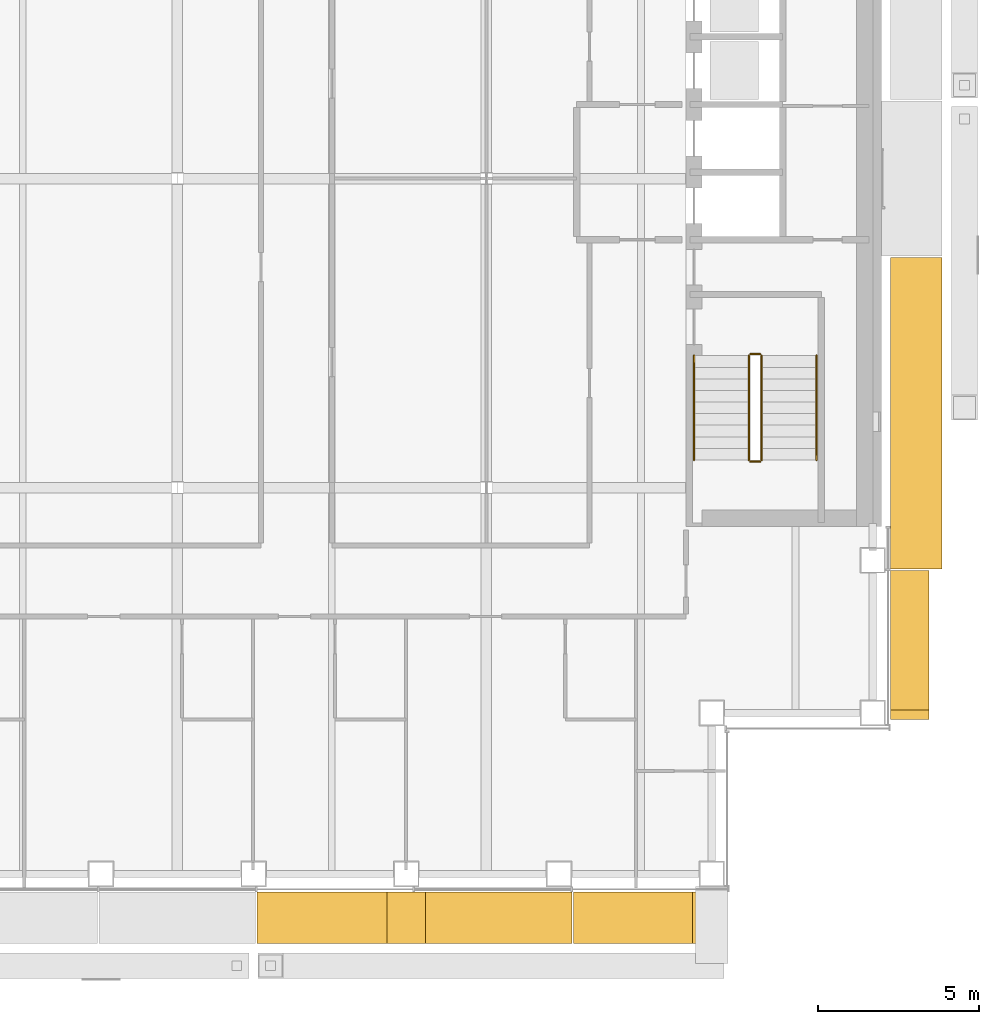
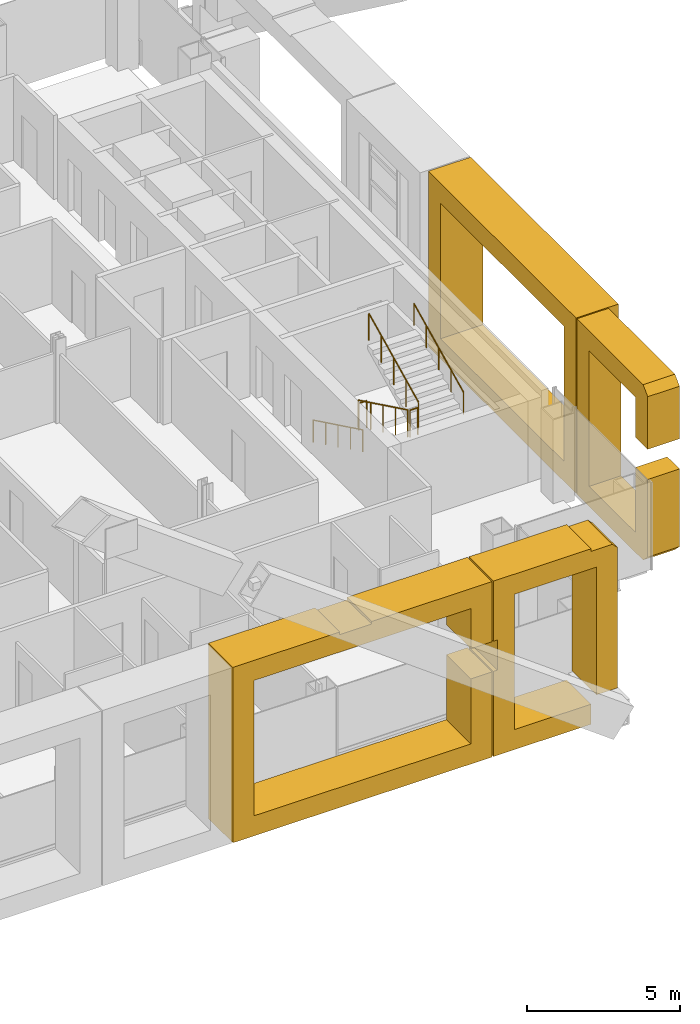
# One storey, part 19 of 22: 6 railings, 4 coverings.
"""IFC4 building model written with IfcOpenShell, lengths in metres."""

from ifc_helpers import new_model, si_unit, direction, frame, origin, origin_2d, place, context, subcontext, project, spatial, polyline, circle, outline, extrude, material, type_object, element, save


model = new_model("IFC4")

# Units and contexts
model_context = context("Model", 3, precision=1e-05, world=origin(), true_north=direction((0.0, 1.0)))
body_context = subcontext(model_context, "Body", "Model", "MODEL_VIEW")
ifc_project = project(units=[si_unit("LENGTHUNIT", "METRE"), si_unit("AREAUNIT", "SQUARE_METRE"), si_unit("VOLUMEUNIT", "CUBIC_METRE"), si_unit("PLANEANGLEUNIT", "RADIAN"), si_unit("MASSUNIT", "GRAM", prefix="KILO")], contexts=[model_context])

# Site, building, storey
site_placement = place(None, origin())
site = spatial("IfcSite", under=ifc_project, at=site_placement, CompositionType="ELEMENT")
building_placement = place(site_placement, origin())
building = spatial("IfcBuilding", under=site, at=building_placement, Name="Cobrizo Arcos Hotel Tower", CompositionType="ELEMENT")
storey_placement = place(building_placement, frame((0.0, 0.0, 162.0)))
storey = spatial("IfcBuildingStorey", under=building, at=storey_placement, Name="L41", CompositionType="ELEMENT", Elevation=162.0)

# Coverings
ifc_material_1 = material(Name="Aluminium 6063-T6 anodised bronze", Category="aluminium")
covering_type_1 = type_object("IfcCoveringType", Name="FIN-F 1200", PredefinedType="CLADDING", material=ifc_material_1)
covering_1_placement = place(storey_placement, frame((22.14990234375, -16.800048828125, 0.0), z_axis=(1.0, 0.0, 0.0), x_axis=(0.0, 1.0, 0.0)))
element("IfcCovering", 1, at=covering_1_placement, inside=storey, type_object=covering_type_1, Name="Fin frame 211", PredefinedType="CLADDING", context=body_context, shape_type="SweptSolid", body=[
    extrude(outline(polyline([(0.0, 6.699951171875), (0.0, 4.60205078125), (0.800048828125, 4.60205078125), (0.800048828125, 6.199951171875), (3.83203125, 6.199951171875), (3.83203125, 0.800048828125), (0.800048828125, 0.800048828125), (0.800048828125, 3.39794921875), (0.0, 3.39794921875), (0.0, 0.300048828125), (0.300048828125, 0.0), (4.632080078125, 0.0), (4.632080078125, 7.0), (0.300048828125, 7.0), (0.0, 6.699951171875)])), origin(), (0.0, 0.0, 1.0), 1.2001953125),
])
covering_type_2 = type_object("IfcCoveringType", Name="FIN-F 1600", PredefinedType="CLADDING", material=ifc_material_1)
covering_2_placement = place(storey_placement, frame((22.14990234375, -12.117919921875, 0.0), z_axis=(1.0, 0.0, 0.0), x_axis=(0.0, 1.0, 0.0)))
element("IfcCovering", 2, at=covering_2_placement, inside=storey, type_object=covering_type_2, Name="Fin frame 212", PredefinedType="CLADDING", context=body_context, shape_type="SweptSolid", body=[
    extrude(outline(polyline([(0.0, 7.0), (0.0, 0.0), (9.664306640625, 0.0), (9.664306640625, 7.0), (0.0, 7.0)]), holes=[polyline([(8.8642578125, 0.800048828125), (0.800048828125, 0.800048828125), (0.800048828125, 6.199951171875), (8.8642578125, 6.199951171875), (8.8642578125, 0.800048828125)])]), origin(), (0.0, 0.0, 1.0), 1.60009765625),
])
covering_3_placement = place(storey_placement, frame((2.482177734375, -22.14990234375, 0.0), z_axis=(0.0, -1.0, 0.0), x_axis=(1.0, 0.0, 0.0)))
element("IfcCovering", 3, at=covering_3_placement, inside=storey, type_object=covering_type_2, Name="Fin frame 244", PredefinedType="CLADDING", context=body_context, shape_type="SweptSolid", body=[
    extrude(outline(polyline([(9.778564453125, 0.0), (9.778564453125, 3.39794921875), (8.978515625, 3.39794921875), (8.978515625, 0.800048828125), (0.800048828125, 0.800048828125), (0.800048828125, 6.199951171875), (8.978515625, 6.199951171875), (8.978515625, 4.60205078125), (9.778564453125, 4.60205078125), (9.778564453125, 7.0), (5.234130859375, 7.0), (5.234130859375, 6.89794921875), (4.0302734375, 6.89794921875), (4.0302734375, 7.0), (0.0, 7.0), (0.0, 0.0), (9.778564453125, 0.0)])), origin(), (0.0, 0.0, 1.0), 1.60009765625),
])
covering_4_placement = place(storey_placement, frame((12.310791015625, -22.14990234375, 0.0), z_axis=(0.0, -1.0, 0.0), x_axis=(1.0, 0.0, 0.0)))
element("IfcCovering", 4, at=covering_4_placement, inside=storey, type_object=covering_type_2, Name="Fin frame 245", PredefinedType="CLADDING", context=body_context, shape_type="SweptSolid", body=[
    extrude(outline(polyline([(0.0, 0.0), (3.687255859375, 0.0), (3.687255859375, 0.800048828125), (0.800048828125, 0.800048828125), (0.800048828125, 6.199951171875), (3.889404296875, 6.199951171875), (3.889404296875, 1.10205078125), (4.689208984375, 1.10205078125), (4.689208984375, 6.699951171875), (4.4912109375, 6.89794921875), (3.687255859375, 6.89794921875), (3.687255859375, 7.0), (0.0, 7.0), (0.0, 4.60205078125), (0.1484375, 4.60205078125), (0.1484375, 3.39794921875), (0.0, 3.39794921875), (0.0, 0.0)])), origin(), (0.0, 0.0, 1.0), 1.60009765625),
])

# Railings
ifc_material_2 = material(Name="Stainless steel railing", Category="steel")
railing_type_1 = type_object("IfcRailingType", Name="Stair guard 1100", PredefinedType="GUARDRAIL", material=ifc_material_2)
railing_1_placement = place(storey_placement, frame((17.75, -5.5, 0.175048828125)))
element("IfcRailing", 5, at=railing_1_placement, inside=storey, type_object=railing_type_1, Name="L41 ST-E stair guard 1", PredefinedType="GUARDRAIL", context=body_context, shape_type="SweptSolid", body=[
    extrude(circle(Radius=0.02392578125, at=origin_2d()), frame((0.0, 0.0, 1.076171875), z_axis=(0.0, -0.899372665325, 0.437182809435), x_axis=(1.0, 0.0, 0.0)), (0.0, 0.0, 1.0), 3.6025390625),
    extrude(circle(Radius=0.02099609375, at=origin_2d()), origin(), (0.0, 0.0, 1.0), 1.052001953125),
    extrude(circle(Radius=0.02099609375, at=origin_2d()), frame((0.0, -0.81005859375, 0.393798828125)), (0.0, 0.0, 1.0), 1.052001953125),
    extrude(circle(Radius=0.02099609375, at=origin_2d()), frame((0.0, -1.6201171875, 0.78759765625)), (0.0, 0.0, 1.0), 1.052001953125),
    extrude(circle(Radius=0.02099609375, at=origin_2d()), frame((0.0, -2.429931640625, 1.18115234375)), (0.0, 0.0, 1.0), 1.052001953125),
    extrude(circle(Radius=0.02099609375, at=origin_2d()), frame((0.0, -3.239990234375, 1.574951171875)), (0.0, 0.0, 1.0), 1.052001953125),
])
railing_2_placement = place(storey_placement, frame((17.800048828125, -8.7900390625, 1.75)))
element("IfcRailing", 6, at=railing_2_placement, inside=storey, type_object=railing_type_1, Name="L41 ST-E stair guard 2", PredefinedType="GUARDRAIL", context=body_context, shape_type="SweptSolid", body=[
    extrude(circle(Radius=0.02392578125, at=origin_2d()), frame((0.0, 0.0, 1.076171875), z_axis=(1.0, 0.0, 0.0), x_axis=(0.0, 1.0, 0.0)), (0.0, 0.0, 1.0), 0.300048828125),
    extrude(circle(Radius=0.02099609375, at=origin_2d()), origin(), (0.0, 0.0, 1.0), 1.052001953125),
    extrude(circle(Radius=0.02099609375, at=origin_2d()), frame((0.300048828125, 0.0, 0.0)), (0.0, 0.0, 1.0), 1.052001953125),
])
railing_3_placement = place(storey_placement, frame((18.14990234375, -8.739990234375, 1.925048828125)))
element("IfcRailing", 7, at=railing_3_placement, inside=storey, type_object=railing_type_1, Name="L41 ST-E stair guard 3", PredefinedType="GUARDRAIL", context=body_context, shape_type="SweptSolid", body=[
    extrude(circle(Radius=0.02392578125, at=origin_2d()), frame((0.0, 0.0, 1.076171875), z_axis=(0.0, 0.899372665325, 0.437182809435), x_axis=(-1.0, 0.0, 0.0)), (0.0, 0.0, 1.0), 3.6025390625),
    extrude(circle(Radius=0.02099609375, at=origin_2d()), origin(), (0.0, 0.0, 1.0), 1.052001953125),
    extrude(circle(Radius=0.02099609375, at=origin_2d()), frame((0.0, 0.81005859375, 0.393798828125)), (0.0, 0.0, 1.0), 1.052001953125),
    extrude(circle(Radius=0.02099609375, at=origin_2d()), frame((0.0, 1.6201171875, 0.78759765625)), (0.0, 0.0, 1.0), 1.052001953125),
    extrude(circle(Radius=0.02099609375, at=origin_2d()), frame((0.0, 2.429931640625, 1.18115234375)), (0.0, 0.0, 1.0), 1.052001953125),
    extrude(circle(Radius=0.02099609375, at=origin_2d()), frame((0.0, 3.239990234375, 1.574951171875)), (0.0, 0.0, 1.0), 1.052001953125),
])
railing_4_placement = place(storey_placement, frame((17.800048828125, -5.449951171875, 0.0)))
element("IfcRailing", 8, at=railing_4_placement, inside=storey, type_object=railing_type_1, Name="L41 ST-E stair guard 4", PredefinedType="GUARDRAIL", context=body_context, shape_type="SweptSolid", body=[
    extrude(circle(Radius=0.02392578125, at=origin_2d()), frame((0.0, 0.0, 1.076171875), z_axis=(1.0, 0.0, 0.0), x_axis=(0.0, 1.0, 0.0)), (0.0, 0.0, 1.0), 0.300048828125),
    extrude(circle(Radius=0.02099609375, at=origin_2d()), origin(), (0.0, 0.0, 1.0), 1.052001953125),
    extrude(circle(Radius=0.02099609375, at=origin_2d()), frame((0.300048828125, 0.0, 0.0)), (0.0, 0.0, 1.0), 1.052001953125),
])
railing_type_2 = type_object("IfcRailingType", Name="Stair handrail", PredefinedType="HANDRAIL", material=ifc_material_2)
railing_5_placement = place(storey_placement, frame((16.050048828125, -5.5, 0.175048828125)))
element("IfcRailing", 9, at=railing_5_placement, inside=storey, type_object=railing_type_2, Name="L41 ST-E stair handrail 1", PredefinedType="HANDRAIL", context=body_context, shape_type="SweptSolid", body=[
    extrude(circle(Radius=0.02392578125, at=origin_2d()), frame((0.0, 0.0, 0.8759765625), z_axis=(0.0, -0.899372665325, 0.437182809435), x_axis=(1.0, 0.0, 0.0)), (0.0, 0.0, 1.0), 3.6025390625),
    extrude(circle(Radius=0.02099609375, at=origin_2d()), origin(), (0.0, 0.0, 1.0), 0.851806640625),
    extrude(circle(Radius=0.02099609375, at=origin_2d()), frame((0.0, -0.81005859375, 0.393798828125)), (0.0, 0.0, 1.0), 0.851806640625),
    extrude(circle(Radius=0.02099609375, at=origin_2d()), frame((0.0, -1.6201171875, 0.78759765625)), (0.0, 0.0, 1.0), 0.851806640625),
    extrude(circle(Radius=0.02099609375, at=origin_2d()), frame((0.0, -2.429931640625, 1.18115234375)), (0.0, 0.0, 1.0), 0.851806640625),
    extrude(circle(Radius=0.02099609375, at=origin_2d()), frame((0.0, -3.239990234375, 1.574951171875)), (0.0, 0.0, 1.0), 0.851806640625),
])
railing_6_placement = place(storey_placement, frame((19.85009765625, -8.739990234375, 1.925048828125)))
element("IfcRailing", 10, at=railing_6_placement, inside=storey, type_object=railing_type_2, Name="L41 ST-E stair handrail 2", PredefinedType="HANDRAIL", context=body_context, shape_type="SweptSolid", body=[
    extrude(circle(Radius=0.02392578125, at=origin_2d()), frame((0.0, 0.0, 0.8759765625), z_axis=(0.0, 0.899372665325, 0.437182809435), x_axis=(-1.0, 0.0, 0.0)), (0.0, 0.0, 1.0), 3.6025390625),
    extrude(circle(Radius=0.02099609375, at=origin_2d()), origin(), (0.0, 0.0, 1.0), 0.851806640625),
    extrude(circle(Radius=0.02099609375, at=origin_2d()), frame((0.0, 0.81005859375, 0.393798828125)), (0.0, 0.0, 1.0), 0.851806640625),
    extrude(circle(Radius=0.02099609375, at=origin_2d()), frame((0.0, 1.6201171875, 0.78759765625)), (0.0, 0.0, 1.0), 0.851806640625),
    extrude(circle(Radius=0.02099609375, at=origin_2d()), frame((0.0, 2.429931640625, 1.18115234375)), (0.0, 0.0, 1.0), 0.851806640625),
    extrude(circle(Radius=0.02099609375, at=origin_2d()), frame((0.0, 3.239990234375, 1.574951171875)), (0.0, 0.0, 1.0), 0.851806640625),
])

save(model, "model.ifc")
